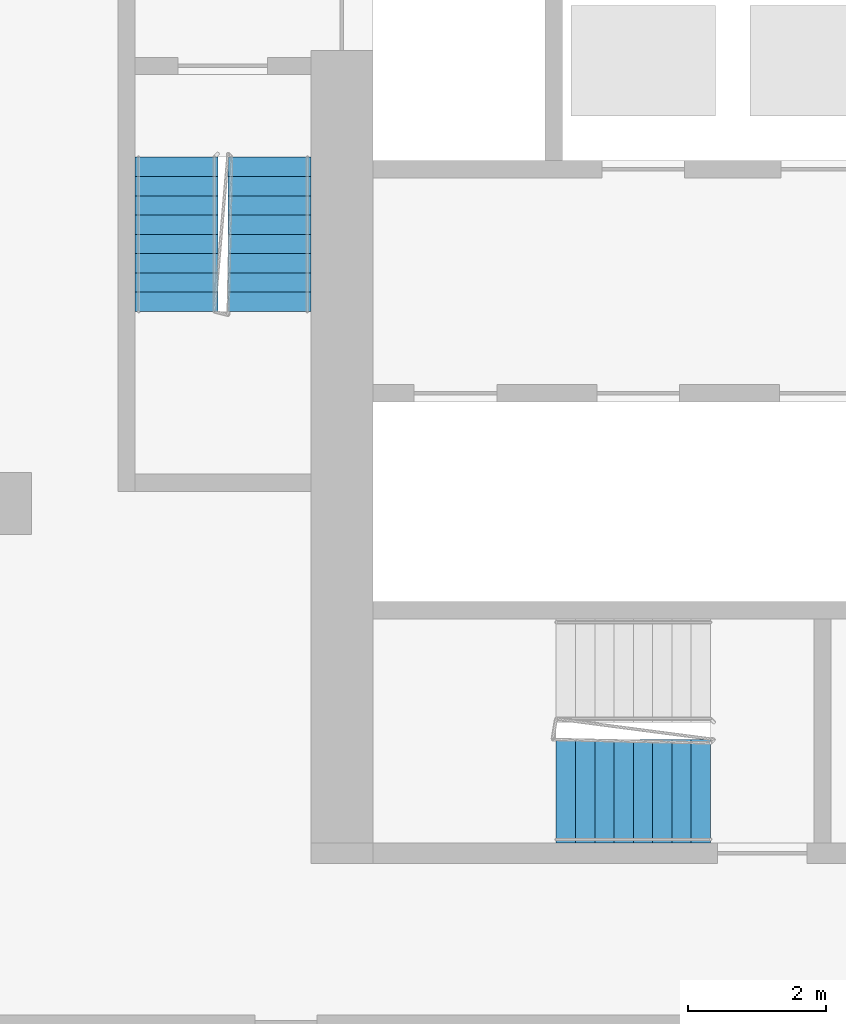
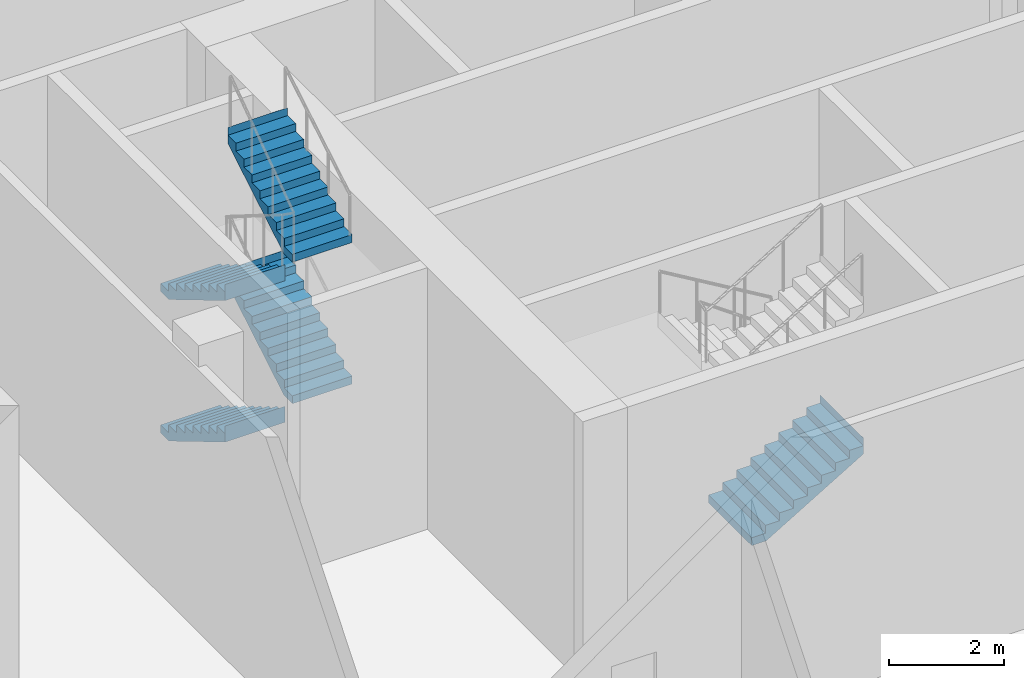
# One storey, part 17 of 27: 5 stair flights, 2 elements without a shape of their own.
"""IFC4 building model written with IfcOpenShell, lengths in metres."""

from ifc_helpers import new_model, si_unit, direction, frame, origin, place, context, subcontext, project, spatial, faceted_brep, material, type_object, element, aggregate, save


model = new_model("IFC4")

# Units and contexts
model_context = context("Model", 3, precision=1e-05, world=origin(), true_north=direction((0.0, 1.0)))
body_context = subcontext(model_context, "Body", "Model", "MODEL_VIEW")
ifc_project = project(units=[si_unit("LENGTHUNIT", "METRE"), si_unit("AREAUNIT", "SQUARE_METRE"), si_unit("VOLUMEUNIT", "CUBIC_METRE"), si_unit("PLANEANGLEUNIT", "RADIAN"), si_unit("MASSUNIT", "GRAM", prefix="KILO")], contexts=[model_context])

# Site, building, storey
site_placement = place(None, origin())
site = spatial("IfcSite", under=ifc_project, at=site_placement, CompositionType="ELEMENT")
building_placement = place(site_placement, origin())
building = spatial("IfcBuilding", under=site, at=building_placement, Name="Kajstack Hotel Tower", CompositionType="ELEMENT")
storey_placement = place(building_placement, frame((0.0, 0.0, 11.0)))
storey = spatial("IfcBuildingStorey", under=building, at=storey_placement, Name="L01", CompositionType="ELEMENT", Elevation=11.0)

# Stair, stair flights
ifc_material = material(Name="Concrete C40/50", Category="concrete")
stair_type_1 = type_object("IfcStairType", Name="Exit stair 1200", PredefinedType="HALF_TURN_STAIR", material=ifc_material)
stair_1_placement = place(storey_placement, origin())
stair_1 = element("IfcStair", 1, at=stair_1_placement, inside=storey, type_object=stair_type_1, Name="L01 stair W1", PredefinedType="HALF_TURN_STAIR")
stair_flight_type_1 = type_object("IfcStairFlightType", Name="Exit stair flight 1200", PredefinedType="STRAIGHT", material=ifc_material)
stair_flight_1_placement = place(storey_placement, frame((-33.449951171875, -5.25, 0.0), z_axis=(0.0, 0.0, 1.0), x_axis=(0.0, -1.0, 0.0)))
stair_flight_1 = element("IfcStairFlight", 2, at=stair_flight_1_placement, type_object=stair_flight_type_1, Name="W1 flight 1", NumberOfRisers=9, NumberOfTreads=8, PredefinedType="STRAIGHT", RiserHeight=0.166666667, TreadLength=0.28, context=body_context, shape_type="Brep", body=[
    faceted_brep([(0.29345703125, -0.60009765625, 0.0), (2.240478515625, -0.60009765625, 1.158935546875), (2.240478515625, -0.60009765625, 1.5), (2.239990234375, -0.60009765625, 1.5), (2.239990234375, -0.60009765625, 1.333251953125), (1.9599609375, -0.60009765625, 1.333251953125), (1.9599609375, -0.60009765625, 1.166748046875), (1.679931640625, -0.60009765625, 1.166748046875), (1.679931640625, -0.60009765625, 1.0), (1.39990234375, -0.60009765625, 1.0), (1.39990234375, -0.60009765625, 0.833251953125), (1.1201171875, -0.60009765625, 0.833251953125), (1.1201171875, -0.60009765625, 0.666748046875), (0.840087890625, -0.60009765625, 0.666748046875), (0.840087890625, -0.60009765625, 0.5), (0.56005859375, -0.60009765625, 0.5), (0.56005859375, -0.60009765625, 0.333251953125), (0.280029296875, -0.60009765625, 0.333251953125), (0.280029296875, -0.60009765625, 0.166748046875), (-0.00048828125, -0.60009765625, 0.166748046875), (-0.00048828125, -0.60009765625, 0.0), (-0.00048828125, 0.60009765625, 0.0), (-0.00048828125, 0.60009765625, 0.166748046875), (0.280029296875, 0.60009765625, 0.166748046875), (0.280029296875, 0.60009765625, 0.333251953125), (0.56005859375, 0.60009765625, 0.333251953125), (0.56005859375, 0.60009765625, 0.5), (0.840087890625, 0.60009765625, 0.5), (0.840087890625, 0.60009765625, 0.666748046875), (1.1201171875, 0.60009765625, 0.666748046875), (1.1201171875, 0.60009765625, 0.833251953125), (1.39990234375, 0.60009765625, 0.833251953125), (1.39990234375, 0.60009765625, 1.0), (1.679931640625, 0.60009765625, 1.0), (1.679931640625, 0.60009765625, 1.166748046875), (1.9599609375, 0.60009765625, 1.166748046875), (1.9599609375, 0.60009765625, 1.333251953125), (2.239990234375, 0.60009765625, 1.333251953125), (2.239990234375, 0.60009765625, 1.5), (2.240478515625, 0.60009765625, 1.5), (2.240478515625, 0.60009765625, 1.158935546875), (0.29345703125, 0.60009765625, 0.0), (-0.00048828125, -0.300048828125, 0.166748046875), (-0.00048828125, 0.0, 0.166748046875), (-0.00048828125, 0.300048828125, 0.166748046875), (-0.00048828125, 0.300048828125, 0.0), (-0.00048828125, 0.0, 0.0), (-0.00048828125, -0.300048828125, 0.0), (0.280029296875, -0.300048828125, 0.166748046875), (0.280029296875, 0.0, 0.166748046875), (0.280029296875, 0.300048828125, 0.166748046875), (0.280029296875, -0.300048828125, 0.333251953125), (0.280029296875, 0.0, 0.333251953125), (0.280029296875, 0.300048828125, 0.333251953125), (0.56005859375, -0.300048828125, 0.333251953125), (0.56005859375, 0.0, 0.333251953125), (0.56005859375, 0.300048828125, 0.333251953125), (0.56005859375, -0.300048828125, 0.5), (0.56005859375, 0.0, 0.5), (0.56005859375, 0.300048828125, 0.5), (0.840087890625, -0.300048828125, 0.5), (0.840087890625, 0.0, 0.5), (0.840087890625, 0.300048828125, 0.5), (0.840087890625, -0.300048828125, 0.666748046875), (0.840087890625, 0.0, 0.666748046875), (0.840087890625, 0.300048828125, 0.666748046875), (1.1201171875, -0.300048828125, 0.666748046875), (1.1201171875, 0.0, 0.666748046875), (1.1201171875, 0.300048828125, 0.666748046875), (1.1201171875, -0.300048828125, 0.833251953125), (1.1201171875, 0.0, 0.833251953125), (1.1201171875, 0.300048828125, 0.833251953125), (1.39990234375, -0.300048828125, 0.833251953125), (1.39990234375, 0.0, 0.833251953125), (1.39990234375, 0.300048828125, 0.833251953125), (1.39990234375, -0.300048828125, 1.0), (1.39990234375, 0.0, 1.0), (1.39990234375, 0.300048828125, 1.0), (1.679931640625, -0.300048828125, 1.0), (1.679931640625, 0.0, 1.0), (1.679931640625, 0.300048828125, 1.0), (1.679931640625, -0.300048828125, 1.166748046875), (1.679931640625, 0.0, 1.166748046875), (1.679931640625, 0.300048828125, 1.166748046875), (1.9599609375, -0.300048828125, 1.166748046875), (1.9599609375, 0.0, 1.166748046875), (1.9599609375, 0.300048828125, 1.166748046875), (1.9599609375, -0.300048828125, 1.333251953125), (1.9599609375, 0.0, 1.333251953125), (1.9599609375, 0.300048828125, 1.333251953125), (2.239990234375, -0.300048828125, 1.333251953125), (2.239990234375, 0.0, 1.333251953125), (2.239990234375, 0.300048828125, 1.333251953125), (2.239990234375, -0.300048828125, 1.5), (2.239990234375, 0.0, 1.5), (2.239990234375, 0.300048828125, 1.5), (2.240478515625, -0.300048828125, 1.5), (2.240478515625, 0.0, 1.5), (2.240478515625, 0.300048828125, 1.5), (2.240478515625, -0.300048828125, 1.158935546875), (2.240478515625, 0.0, 1.158935546875), (2.240478515625, 0.300048828125, 1.158935546875), (0.29345703125, -0.300048828125, 0.0), (0.29345703125, 0.0, 0.0), (0.29345703125, 0.300048828125, 0.0)], [[[0, 1, 2, 3, 4, 5, 6, 7, 8, 9, 10, 11, 12, 13, 14, 15, 16, 17, 18, 19, 20]], [[21, 22, 23, 24, 25, 26, 27, 28, 29, 30, 31, 32, 33, 34, 35, 36, 37, 38, 39, 40, 41]], [[19, 42, 43, 44, 22, 21, 45, 46, 47, 20]], [[18, 48, 49, 50, 23, 22, 44, 43, 42, 19]], [[17, 51, 52, 53, 24, 23, 50, 49, 48, 18]], [[16, 54, 55, 56, 25, 24, 53, 52, 51, 17]], [[15, 57, 58, 59, 26, 25, 56, 55, 54, 16]], [[14, 60, 61, 62, 27, 26, 59, 58, 57, 15]], [[13, 63, 64, 65, 28, 27, 62, 61, 60, 14]], [[12, 66, 67, 68, 29, 28, 65, 64, 63, 13]], [[11, 69, 70, 71, 30, 29, 68, 67, 66, 12]], [[10, 72, 73, 74, 31, 30, 71, 70, 69, 11]], [[9, 75, 76, 77, 32, 31, 74, 73, 72, 10]], [[8, 78, 79, 80, 33, 32, 77, 76, 75, 9]], [[7, 81, 82, 83, 34, 33, 80, 79, 78, 8]], [[6, 84, 85, 86, 35, 34, 83, 82, 81, 7]], [[5, 87, 88, 89, 36, 35, 86, 85, 84, 6]], [[4, 90, 91, 92, 37, 36, 89, 88, 87, 5]], [[3, 93, 94, 95, 38, 37, 92, 91, 90, 4]], [[2, 96, 97, 98, 39, 38, 95, 94, 93, 3]], [[1, 99, 100, 101, 40, 39, 98, 97, 96, 2]], [[0, 102, 103, 104, 41, 40, 101, 100, 99, 1]], [[20, 47, 46, 45, 21, 41, 104, 103, 102, 0]]]),
])
stair_flight_2_placement = place(storey_placement, frame((-32.10009765625, -7.489990234375, 1.5), z_axis=(0.0, 0.0, 1.0), x_axis=(0.0, 1.0, 0.0)))
stair_flight_2 = element("IfcStairFlight", 3, at=stair_flight_2_placement, type_object=stair_flight_type_1, Name="W1 flight 2", NumberOfRisers=9, NumberOfTreads=8, PredefinedType="STRAIGHT", RiserHeight=0.166666667, TreadLength=0.28, context=body_context, shape_type="Brep", body=[
    faceted_brep([(0.29345703125, -0.60009765625, 0.0), (2.240478515625, -0.60009765625, 1.158935546875), (2.240478515625, -0.60009765625, 1.5), (2.239990234375, -0.60009765625, 1.5), (2.239990234375, -0.60009765625, 1.333251953125), (1.9599609375, -0.60009765625, 1.333251953125), (1.9599609375, -0.60009765625, 1.166748046875), (1.679931640625, -0.60009765625, 1.166748046875), (1.679931640625, -0.60009765625, 1.0), (1.39990234375, -0.60009765625, 1.0), (1.39990234375, -0.60009765625, 0.833251953125), (1.1201171875, -0.60009765625, 0.833251953125), (1.1201171875, -0.60009765625, 0.666748046875), (0.840087890625, -0.60009765625, 0.666748046875), (0.840087890625, -0.60009765625, 0.5), (0.56005859375, -0.60009765625, 0.5), (0.56005859375, -0.60009765625, 0.333251953125), (0.280029296875, -0.60009765625, 0.333251953125), (0.280029296875, -0.60009765625, 0.166748046875), (-0.00048828125, -0.60009765625, 0.166748046875), (-0.00048828125, -0.60009765625, 0.0), (-0.00048828125, 0.60009765625, 0.0), (-0.00048828125, 0.60009765625, 0.166748046875), (0.280029296875, 0.60009765625, 0.166748046875), (0.280029296875, 0.60009765625, 0.333251953125), (0.56005859375, 0.60009765625, 0.333251953125), (0.56005859375, 0.60009765625, 0.5), (0.840087890625, 0.60009765625, 0.5), (0.840087890625, 0.60009765625, 0.666748046875), (1.1201171875, 0.60009765625, 0.666748046875), (1.1201171875, 0.60009765625, 0.833251953125), (1.39990234375, 0.60009765625, 0.833251953125), (1.39990234375, 0.60009765625, 1.0), (1.679931640625, 0.60009765625, 1.0), (1.679931640625, 0.60009765625, 1.166748046875), (1.9599609375, 0.60009765625, 1.166748046875), (1.9599609375, 0.60009765625, 1.333251953125), (2.239990234375, 0.60009765625, 1.333251953125), (2.239990234375, 0.60009765625, 1.5), (2.240478515625, 0.60009765625, 1.5), (2.240478515625, 0.60009765625, 1.158935546875), (0.29345703125, 0.60009765625, 0.0), (-0.00048828125, -0.300048828125, 0.166748046875), (-0.00048828125, 0.0, 0.166748046875), (-0.00048828125, 0.300048828125, 0.166748046875), (-0.00048828125, 0.300048828125, 0.0), (-0.00048828125, 0.0, 0.0), (-0.00048828125, -0.300048828125, 0.0), (0.280029296875, -0.300048828125, 0.166748046875), (0.280029296875, 0.0, 0.166748046875), (0.280029296875, 0.300048828125, 0.166748046875), (0.280029296875, -0.300048828125, 0.333251953125), (0.280029296875, 0.0, 0.333251953125), (0.280029296875, 0.300048828125, 0.333251953125), (0.56005859375, -0.300048828125, 0.333251953125), (0.56005859375, 0.0, 0.333251953125), (0.56005859375, 0.300048828125, 0.333251953125), (0.56005859375, -0.300048828125, 0.5), (0.56005859375, 0.0, 0.5), (0.56005859375, 0.300048828125, 0.5), (0.840087890625, -0.300048828125, 0.5), (0.840087890625, 0.0, 0.5), (0.840087890625, 0.300048828125, 0.5), (0.840087890625, -0.300048828125, 0.666748046875), (0.840087890625, 0.0, 0.666748046875), (0.840087890625, 0.300048828125, 0.666748046875), (1.1201171875, -0.300048828125, 0.666748046875), (1.1201171875, 0.0, 0.666748046875), (1.1201171875, 0.300048828125, 0.666748046875), (1.1201171875, -0.300048828125, 0.833251953125), (1.1201171875, 0.0, 0.833251953125), (1.1201171875, 0.300048828125, 0.833251953125), (1.39990234375, -0.300048828125, 0.833251953125), (1.39990234375, 0.0, 0.833251953125), (1.39990234375, 0.300048828125, 0.833251953125), (1.39990234375, -0.300048828125, 1.0), (1.39990234375, 0.0, 1.0), (1.39990234375, 0.300048828125, 1.0), (1.679931640625, -0.300048828125, 1.0), (1.679931640625, 0.0, 1.0), (1.679931640625, 0.300048828125, 1.0), (1.679931640625, -0.300048828125, 1.166748046875), (1.679931640625, 0.0, 1.166748046875), (1.679931640625, 0.300048828125, 1.166748046875), (1.9599609375, -0.300048828125, 1.166748046875), (1.9599609375, 0.0, 1.166748046875), (1.9599609375, 0.300048828125, 1.166748046875), (1.9599609375, -0.300048828125, 1.333251953125), (1.9599609375, 0.0, 1.333251953125), (1.9599609375, 0.300048828125, 1.333251953125), (2.239990234375, -0.300048828125, 1.333251953125), (2.239990234375, 0.0, 1.333251953125), (2.239990234375, 0.300048828125, 1.333251953125), (2.239990234375, -0.300048828125, 1.5), (2.239990234375, 0.0, 1.5), (2.239990234375, 0.300048828125, 1.5), (2.240478515625, -0.300048828125, 1.5), (2.240478515625, 0.0, 1.5), (2.240478515625, 0.300048828125, 1.5), (2.240478515625, -0.300048828125, 1.158935546875), (2.240478515625, 0.0, 1.158935546875), (2.240478515625, 0.300048828125, 1.158935546875), (0.29345703125, -0.300048828125, 0.0), (0.29345703125, 0.0, 0.0), (0.29345703125, 0.300048828125, 0.0)], [[[0, 1, 2, 3, 4, 5, 6, 7, 8, 9, 10, 11, 12, 13, 14, 15, 16, 17, 18, 19, 20]], [[21, 22, 23, 24, 25, 26, 27, 28, 29, 30, 31, 32, 33, 34, 35, 36, 37, 38, 39, 40, 41]], [[19, 42, 43, 44, 22, 21, 45, 46, 47, 20]], [[18, 48, 49, 50, 23, 22, 44, 43, 42, 19]], [[17, 51, 52, 53, 24, 23, 50, 49, 48, 18]], [[16, 54, 55, 56, 25, 24, 53, 52, 51, 17]], [[15, 57, 58, 59, 26, 25, 56, 55, 54, 16]], [[14, 60, 61, 62, 27, 26, 59, 58, 57, 15]], [[13, 63, 64, 65, 28, 27, 62, 61, 60, 14]], [[12, 66, 67, 68, 29, 28, 65, 64, 63, 13]], [[11, 69, 70, 71, 30, 29, 68, 67, 66, 12]], [[10, 72, 73, 74, 31, 30, 71, 70, 69, 11]], [[9, 75, 76, 77, 32, 31, 74, 73, 72, 10]], [[8, 78, 79, 80, 33, 32, 77, 76, 75, 9]], [[7, 81, 82, 83, 34, 33, 80, 79, 78, 8]], [[6, 84, 85, 86, 35, 34, 83, 82, 81, 7]], [[5, 87, 88, 89, 36, 35, 86, 85, 84, 6]], [[4, 90, 91, 92, 37, 36, 89, 88, 87, 5]], [[3, 93, 94, 95, 38, 37, 92, 91, 90, 4]], [[2, 96, 97, 98, 39, 38, 95, 94, 93, 3]], [[1, 99, 100, 101, 40, 39, 98, 97, 96, 2]], [[0, 102, 103, 104, 41, 40, 101, 100, 99, 1]], [[20, 47, 46, 45, 21, 41, 104, 103, 102, 0]]]),
])
stair_flight_3_placement = place(storey_placement, frame((-33.449951171875, -5.25, 3.0), z_axis=(0.0, 0.0, 1.0), x_axis=(0.0, -1.0, 0.0)))
stair_flight_3 = element("IfcStairFlight", 4, at=stair_flight_3_placement, type_object=stair_flight_type_1, Name="W1 flight 3", NumberOfRisers=9, NumberOfTreads=8, PredefinedType="STRAIGHT", RiserHeight=0.166666667, TreadLength=0.28, context=body_context, shape_type="Brep", body=[
    faceted_brep([(0.29345703125, -0.60009765625, 0.0), (2.240478515625, -0.60009765625, 1.158935546875), (2.240478515625, -0.60009765625, 1.5), (2.239990234375, -0.60009765625, 1.5), (2.239990234375, -0.60009765625, 1.333251953125), (1.9599609375, -0.60009765625, 1.333251953125), (1.9599609375, -0.60009765625, 1.166748046875), (1.679931640625, -0.60009765625, 1.166748046875), (1.679931640625, -0.60009765625, 1.0), (1.39990234375, -0.60009765625, 1.0), (1.39990234375, -0.60009765625, 0.833251953125), (1.1201171875, -0.60009765625, 0.833251953125), (1.1201171875, -0.60009765625, 0.666748046875), (0.840087890625, -0.60009765625, 0.666748046875), (0.840087890625, -0.60009765625, 0.5), (0.56005859375, -0.60009765625, 0.5), (0.56005859375, -0.60009765625, 0.333251953125), (0.280029296875, -0.60009765625, 0.333251953125), (0.280029296875, -0.60009765625, 0.166748046875), (-0.00048828125, -0.60009765625, 0.166748046875), (-0.00048828125, -0.60009765625, 0.0), (-0.00048828125, 0.60009765625, 0.0), (-0.00048828125, 0.60009765625, 0.166748046875), (0.280029296875, 0.60009765625, 0.166748046875), (0.280029296875, 0.60009765625, 0.333251953125), (0.56005859375, 0.60009765625, 0.333251953125), (0.56005859375, 0.60009765625, 0.5), (0.840087890625, 0.60009765625, 0.5), (0.840087890625, 0.60009765625, 0.666748046875), (1.1201171875, 0.60009765625, 0.666748046875), (1.1201171875, 0.60009765625, 0.833251953125), (1.39990234375, 0.60009765625, 0.833251953125), (1.39990234375, 0.60009765625, 1.0), (1.679931640625, 0.60009765625, 1.0), (1.679931640625, 0.60009765625, 1.166748046875), (1.9599609375, 0.60009765625, 1.166748046875), (1.9599609375, 0.60009765625, 1.333251953125), (2.239990234375, 0.60009765625, 1.333251953125), (2.239990234375, 0.60009765625, 1.5), (2.240478515625, 0.60009765625, 1.5), (2.240478515625, 0.60009765625, 1.158935546875), (0.29345703125, 0.60009765625, 0.0), (-0.00048828125, -0.300048828125, 0.166748046875), (-0.00048828125, 0.0, 0.166748046875), (-0.00048828125, 0.300048828125, 0.166748046875), (-0.00048828125, 0.300048828125, 0.0), (-0.00048828125, 0.0, 0.0), (-0.00048828125, -0.300048828125, 0.0), (0.280029296875, -0.300048828125, 0.166748046875), (0.280029296875, 0.0, 0.166748046875), (0.280029296875, 0.300048828125, 0.166748046875), (0.280029296875, -0.300048828125, 0.333251953125), (0.280029296875, 0.0, 0.333251953125), (0.280029296875, 0.300048828125, 0.333251953125), (0.56005859375, -0.300048828125, 0.333251953125), (0.56005859375, 0.0, 0.333251953125), (0.56005859375, 0.300048828125, 0.333251953125), (0.56005859375, -0.300048828125, 0.5), (0.56005859375, 0.0, 0.5), (0.56005859375, 0.300048828125, 0.5), (0.840087890625, -0.300048828125, 0.5), (0.840087890625, 0.0, 0.5), (0.840087890625, 0.300048828125, 0.5), (0.840087890625, -0.300048828125, 0.666748046875), (0.840087890625, 0.0, 0.666748046875), (0.840087890625, 0.300048828125, 0.666748046875), (1.1201171875, -0.300048828125, 0.666748046875), (1.1201171875, 0.0, 0.666748046875), (1.1201171875, 0.300048828125, 0.666748046875), (1.1201171875, -0.300048828125, 0.833251953125), (1.1201171875, 0.0, 0.833251953125), (1.1201171875, 0.300048828125, 0.833251953125), (1.39990234375, -0.300048828125, 0.833251953125), (1.39990234375, 0.0, 0.833251953125), (1.39990234375, 0.300048828125, 0.833251953125), (1.39990234375, -0.300048828125, 1.0), (1.39990234375, 0.0, 1.0), (1.39990234375, 0.300048828125, 1.0), (1.679931640625, -0.300048828125, 1.0), (1.679931640625, 0.0, 1.0), (1.679931640625, 0.300048828125, 1.0), (1.679931640625, -0.300048828125, 1.166748046875), (1.679931640625, 0.0, 1.166748046875), (1.679931640625, 0.300048828125, 1.166748046875), (1.9599609375, -0.300048828125, 1.166748046875), (1.9599609375, 0.0, 1.166748046875), (1.9599609375, 0.300048828125, 1.166748046875), (1.9599609375, -0.300048828125, 1.333251953125), (1.9599609375, 0.0, 1.333251953125), (1.9599609375, 0.300048828125, 1.333251953125), (2.239990234375, -0.300048828125, 1.333251953125), (2.239990234375, 0.0, 1.333251953125), (2.239990234375, 0.300048828125, 1.333251953125), (2.239990234375, -0.300048828125, 1.5), (2.239990234375, 0.0, 1.5), (2.239990234375, 0.300048828125, 1.5), (2.240478515625, -0.300048828125, 1.5), (2.240478515625, 0.0, 1.5), (2.240478515625, 0.300048828125, 1.5), (2.240478515625, -0.300048828125, 1.158935546875), (2.240478515625, 0.0, 1.158935546875), (2.240478515625, 0.300048828125, 1.158935546875), (0.29345703125, -0.300048828125, 0.0), (0.29345703125, 0.0, 0.0), (0.29345703125, 0.300048828125, 0.0)], [[[0, 1, 2, 3, 4, 5, 6, 7, 8, 9, 10, 11, 12, 13, 14, 15, 16, 17, 18, 19, 20]], [[21, 22, 23, 24, 25, 26, 27, 28, 29, 30, 31, 32, 33, 34, 35, 36, 37, 38, 39, 40, 41]], [[19, 42, 43, 44, 22, 21, 45, 46, 47, 20]], [[18, 48, 49, 50, 23, 22, 44, 43, 42, 19]], [[17, 51, 52, 53, 24, 23, 50, 49, 48, 18]], [[16, 54, 55, 56, 25, 24, 53, 52, 51, 17]], [[15, 57, 58, 59, 26, 25, 56, 55, 54, 16]], [[14, 60, 61, 62, 27, 26, 59, 58, 57, 15]], [[13, 63, 64, 65, 28, 27, 62, 61, 60, 14]], [[12, 66, 67, 68, 29, 28, 65, 64, 63, 13]], [[11, 69, 70, 71, 30, 29, 68, 67, 66, 12]], [[10, 72, 73, 74, 31, 30, 71, 70, 69, 11]], [[9, 75, 76, 77, 32, 31, 74, 73, 72, 10]], [[8, 78, 79, 80, 33, 32, 77, 76, 75, 9]], [[7, 81, 82, 83, 34, 33, 80, 79, 78, 8]], [[6, 84, 85, 86, 35, 34, 83, 82, 81, 7]], [[5, 87, 88, 89, 36, 35, 86, 85, 84, 6]], [[4, 90, 91, 92, 37, 36, 89, 88, 87, 5]], [[3, 93, 94, 95, 38, 37, 92, 91, 90, 4]], [[2, 96, 97, 98, 39, 38, 95, 94, 93, 3]], [[1, 99, 100, 101, 40, 39, 98, 97, 96, 2]], [[0, 102, 103, 104, 41, 40, 101, 100, 99, 1]], [[20, 47, 46, 45, 21, 41, 104, 103, 102, 0]]]),
])
stair_flight_4_placement = place(storey_placement, frame((-32.10009765625, -7.489990234375, 4.5), z_axis=(0.0, 0.0, 1.0), x_axis=(0.0, 1.0, 0.0)))
stair_flight_4 = element("IfcStairFlight", 5, at=stair_flight_4_placement, type_object=stair_flight_type_1, Name="W1 flight 4", NumberOfRisers=9, NumberOfTreads=8, PredefinedType="STRAIGHT", RiserHeight=0.166666667, TreadLength=0.28, context=body_context, shape_type="Brep", body=[
    faceted_brep([(0.29345703125, -0.60009765625, 0.0), (2.240478515625, -0.60009765625, 1.158935546875), (2.240478515625, -0.60009765625, 1.5), (2.239990234375, -0.60009765625, 1.5), (2.239990234375, -0.60009765625, 1.333251953125), (1.9599609375, -0.60009765625, 1.333251953125), (1.9599609375, -0.60009765625, 1.166748046875), (1.679931640625, -0.60009765625, 1.166748046875), (1.679931640625, -0.60009765625, 1.0), (1.39990234375, -0.60009765625, 1.0), (1.39990234375, -0.60009765625, 0.833251953125), (1.1201171875, -0.60009765625, 0.833251953125), (1.1201171875, -0.60009765625, 0.666748046875), (0.840087890625, -0.60009765625, 0.666748046875), (0.840087890625, -0.60009765625, 0.5), (0.56005859375, -0.60009765625, 0.5), (0.56005859375, -0.60009765625, 0.333251953125), (0.280029296875, -0.60009765625, 0.333251953125), (0.280029296875, -0.60009765625, 0.166748046875), (-0.00048828125, -0.60009765625, 0.166748046875), (-0.00048828125, -0.60009765625, 0.0), (-0.00048828125, 0.60009765625, 0.0), (-0.00048828125, 0.60009765625, 0.166748046875), (0.280029296875, 0.60009765625, 0.166748046875), (0.280029296875, 0.60009765625, 0.333251953125), (0.56005859375, 0.60009765625, 0.333251953125), (0.56005859375, 0.60009765625, 0.5), (0.840087890625, 0.60009765625, 0.5), (0.840087890625, 0.60009765625, 0.666748046875), (1.1201171875, 0.60009765625, 0.666748046875), (1.1201171875, 0.60009765625, 0.833251953125), (1.39990234375, 0.60009765625, 0.833251953125), (1.39990234375, 0.60009765625, 1.0), (1.679931640625, 0.60009765625, 1.0), (1.679931640625, 0.60009765625, 1.166748046875), (1.9599609375, 0.60009765625, 1.166748046875), (1.9599609375, 0.60009765625, 1.333251953125), (2.239990234375, 0.60009765625, 1.333251953125), (2.239990234375, 0.60009765625, 1.5), (2.240478515625, 0.60009765625, 1.5), (2.240478515625, 0.60009765625, 1.158935546875), (0.29345703125, 0.60009765625, 0.0), (-0.00048828125, -0.300048828125, 0.166748046875), (-0.00048828125, 0.0, 0.166748046875), (-0.00048828125, 0.300048828125, 0.166748046875), (-0.00048828125, 0.300048828125, 0.0), (-0.00048828125, 0.0, 0.0), (-0.00048828125, -0.300048828125, 0.0), (0.280029296875, -0.300048828125, 0.166748046875), (0.280029296875, 0.0, 0.166748046875), (0.280029296875, 0.300048828125, 0.166748046875), (0.280029296875, -0.300048828125, 0.333251953125), (0.280029296875, 0.0, 0.333251953125), (0.280029296875, 0.300048828125, 0.333251953125), (0.56005859375, -0.300048828125, 0.333251953125), (0.56005859375, 0.0, 0.333251953125), (0.56005859375, 0.300048828125, 0.333251953125), (0.56005859375, -0.300048828125, 0.5), (0.56005859375, 0.0, 0.5), (0.56005859375, 0.300048828125, 0.5), (0.840087890625, -0.300048828125, 0.5), (0.840087890625, 0.0, 0.5), (0.840087890625, 0.300048828125, 0.5), (0.840087890625, -0.300048828125, 0.666748046875), (0.840087890625, 0.0, 0.666748046875), (0.840087890625, 0.300048828125, 0.666748046875), (1.1201171875, -0.300048828125, 0.666748046875), (1.1201171875, 0.0, 0.666748046875), (1.1201171875, 0.300048828125, 0.666748046875), (1.1201171875, -0.300048828125, 0.833251953125), (1.1201171875, 0.0, 0.833251953125), (1.1201171875, 0.300048828125, 0.833251953125), (1.39990234375, -0.300048828125, 0.833251953125), (1.39990234375, 0.0, 0.833251953125), (1.39990234375, 0.300048828125, 0.833251953125), (1.39990234375, -0.300048828125, 1.0), (1.39990234375, 0.0, 1.0), (1.39990234375, 0.300048828125, 1.0), (1.679931640625, -0.300048828125, 1.0), (1.679931640625, 0.0, 1.0), (1.679931640625, 0.300048828125, 1.0), (1.679931640625, -0.300048828125, 1.166748046875), (1.679931640625, 0.0, 1.166748046875), (1.679931640625, 0.300048828125, 1.166748046875), (1.9599609375, -0.300048828125, 1.166748046875), (1.9599609375, 0.0, 1.166748046875), (1.9599609375, 0.300048828125, 1.166748046875), (1.9599609375, -0.300048828125, 1.333251953125), (1.9599609375, 0.0, 1.333251953125), (1.9599609375, 0.300048828125, 1.333251953125), (2.239990234375, -0.300048828125, 1.333251953125), (2.239990234375, 0.0, 1.333251953125), (2.239990234375, 0.300048828125, 1.333251953125), (2.239990234375, -0.300048828125, 1.5), (2.239990234375, 0.0, 1.5), (2.239990234375, 0.300048828125, 1.5), (2.240478515625, -0.300048828125, 1.5), (2.240478515625, 0.0, 1.5), (2.240478515625, 0.300048828125, 1.5), (2.240478515625, -0.300048828125, 1.158935546875), (2.240478515625, 0.0, 1.158935546875), (2.240478515625, 0.300048828125, 1.158935546875), (0.29345703125, -0.300048828125, 0.0), (0.29345703125, 0.0, 0.0), (0.29345703125, 0.300048828125, 0.0)], [[[0, 1, 2, 3, 4, 5, 6, 7, 8, 9, 10, 11, 12, 13, 14, 15, 16, 17, 18, 19, 20]], [[21, 22, 23, 24, 25, 26, 27, 28, 29, 30, 31, 32, 33, 34, 35, 36, 37, 38, 39, 40, 41]], [[19, 42, 43, 44, 22, 21, 45, 46, 47, 20]], [[18, 48, 49, 50, 23, 22, 44, 43, 42, 19]], [[17, 51, 52, 53, 24, 23, 50, 49, 48, 18]], [[16, 54, 55, 56, 25, 24, 53, 52, 51, 17]], [[15, 57, 58, 59, 26, 25, 56, 55, 54, 16]], [[14, 60, 61, 62, 27, 26, 59, 58, 57, 15]], [[13, 63, 64, 65, 28, 27, 62, 61, 60, 14]], [[12, 66, 67, 68, 29, 28, 65, 64, 63, 13]], [[11, 69, 70, 71, 30, 29, 68, 67, 66, 12]], [[10, 72, 73, 74, 31, 30, 71, 70, 69, 11]], [[9, 75, 76, 77, 32, 31, 74, 73, 72, 10]], [[8, 78, 79, 80, 33, 32, 77, 76, 75, 9]], [[7, 81, 82, 83, 34, 33, 80, 79, 78, 8]], [[6, 84, 85, 86, 35, 34, 83, 82, 81, 7]], [[5, 87, 88, 89, 36, 35, 86, 85, 84, 6]], [[4, 90, 91, 92, 37, 36, 89, 88, 87, 5]], [[3, 93, 94, 95, 38, 37, 92, 91, 90, 4]], [[2, 96, 97, 98, 39, 38, 95, 94, 93, 3]], [[1, 99, 100, 101, 40, 39, 98, 97, 96, 2]], [[0, 102, 103, 104, 41, 40, 101, 100, 99, 1]], [[20, 47, 46, 45, 21, 41, 104, 103, 102, 0]]]),
])
aggregate(stair_1, [stair_flight_1, stair_flight_2, stair_flight_3, stair_flight_4])

# Stair, stair flight
stair_type_2 = type_object("IfcStairType", Name="Exit stair 1500", PredefinedType="HALF_TURN_STAIR", material=ifc_material)
stair_2_placement = place(storey_placement, origin())
stair_2 = element("IfcStair", 6, at=stair_2_placement, inside=storey, type_object=stair_type_2, Name="L01 stair W3", PredefinedType="HALF_TURN_STAIR")
stair_flight_type_2 = type_object("IfcStairFlightType", Name="Exit stair flight 1500", PredefinedType="STRAIGHT", material=ifc_material)
stair_flight_5_placement = place(storey_placement, frame((-27.93994140625, -14.449951171875, 1.5), z_axis=(0.0, 0.0, 1.0), x_axis=(1.0, 0.0, 0.0)))
stair_flight_5 = element("IfcStairFlight", 7, at=stair_flight_5_placement, type_object=stair_flight_type_2, Name="W3 flight 2", NumberOfRisers=9, NumberOfTreads=8, PredefinedType="STRAIGHT", RiserHeight=0.166666667, TreadLength=0.28, context=body_context, shape_type="Brep", body=[
    faceted_brep([(0.29345703125, -0.75, 0.0), (2.240478515625, -0.75, 1.158935546875), (2.240478515625, -0.75, 1.5), (2.239990234375, -0.75, 1.5), (2.239990234375, -0.75, 1.333251953125), (1.9599609375, -0.75, 1.333251953125), (1.9599609375, -0.75, 1.166748046875), (1.679931640625, -0.75, 1.166748046875), (1.679931640625, -0.75, 1.0), (1.39990234375, -0.75, 1.0), (1.39990234375, -0.75, 0.833251953125), (1.1201171875, -0.75, 0.833251953125), (1.1201171875, -0.75, 0.666748046875), (0.840087890625, -0.75, 0.666748046875), (0.840087890625, -0.75, 0.5), (0.56005859375, -0.75, 0.5), (0.56005859375, -0.75, 0.333251953125), (0.280029296875, -0.75, 0.333251953125), (0.280029296875, -0.75, 0.166748046875), (-0.00048828125, -0.75, 0.166748046875), (-0.00048828125, -0.75, 0.0), (-0.00048828125, 0.75, 0.0), (-0.00048828125, 0.75, 0.166748046875), (0.280029296875, 0.75, 0.166748046875), (0.280029296875, 0.75, 0.333251953125), (0.56005859375, 0.75, 0.333251953125), (0.56005859375, 0.75, 0.5), (0.840087890625, 0.75, 0.5), (0.840087890625, 0.75, 0.666748046875), (1.1201171875, 0.75, 0.666748046875), (1.1201171875, 0.75, 0.833251953125), (1.39990234375, 0.75, 0.833251953125), (1.39990234375, 0.75, 1.0), (1.679931640625, 0.75, 1.0), (1.679931640625, 0.75, 1.166748046875), (1.9599609375, 0.75, 1.166748046875), (1.9599609375, 0.75, 1.333251953125), (2.239990234375, 0.75, 1.333251953125), (2.239990234375, 0.75, 1.5), (2.240478515625, 0.75, 1.5), (2.240478515625, 0.75, 1.158935546875), (0.29345703125, 0.75, 0.0), (-0.00048828125, -0.375, 0.166748046875), (-0.00048828125, 0.0, 0.166748046875), (-0.00048828125, 0.375, 0.166748046875), (-0.00048828125, 0.375, 0.0), (-0.00048828125, 0.0, 0.0), (-0.00048828125, -0.375, 0.0), (0.280029296875, -0.375, 0.166748046875), (0.280029296875, 0.0, 0.166748046875), (0.280029296875, 0.375, 0.166748046875), (0.280029296875, -0.375, 0.333251953125), (0.280029296875, 0.0, 0.333251953125), (0.280029296875, 0.375, 0.333251953125), (0.56005859375, -0.375, 0.333251953125), (0.56005859375, 0.0, 0.333251953125), (0.56005859375, 0.375, 0.333251953125), (0.56005859375, -0.375, 0.5), (0.56005859375, 0.0, 0.5), (0.56005859375, 0.375, 0.5), (0.840087890625, -0.375, 0.5), (0.840087890625, 0.0, 0.5), (0.840087890625, 0.375, 0.5), (0.840087890625, -0.375, 0.666748046875), (0.840087890625, 0.0, 0.666748046875), (0.840087890625, 0.375, 0.666748046875), (1.1201171875, -0.375, 0.666748046875), (1.1201171875, 0.0, 0.666748046875), (1.1201171875, 0.375, 0.666748046875), (1.1201171875, -0.375, 0.833251953125), (1.1201171875, 0.0, 0.833251953125), (1.1201171875, 0.375, 0.833251953125), (1.39990234375, -0.375, 0.833251953125), (1.39990234375, 0.0, 0.833251953125), (1.39990234375, 0.375, 0.833251953125), (1.39990234375, -0.375, 1.0), (1.39990234375, 0.0, 1.0), (1.39990234375, 0.375, 1.0), (1.679931640625, -0.375, 1.0), (1.679931640625, 0.0, 1.0), (1.679931640625, 0.375, 1.0), (1.679931640625, -0.375, 1.166748046875), (1.679931640625, 0.0, 1.166748046875), (1.679931640625, 0.375, 1.166748046875), (1.9599609375, -0.375, 1.166748046875), (1.9599609375, 0.0, 1.166748046875), (1.9599609375, 0.375, 1.166748046875), (1.9599609375, -0.375, 1.333251953125), (1.9599609375, 0.0, 1.333251953125), (1.9599609375, 0.375, 1.333251953125), (2.239990234375, -0.375, 1.333251953125), (2.239990234375, 0.0, 1.333251953125), (2.239990234375, 0.375, 1.333251953125), (2.239990234375, -0.375, 1.5), (2.239990234375, 0.0, 1.5), (2.239990234375, 0.375, 1.5), (2.240478515625, -0.375, 1.5), (2.240478515625, 0.0, 1.5), (2.240478515625, 0.375, 1.5), (2.240478515625, -0.375, 1.158935546875), (2.240478515625, 0.0, 1.158935546875), (2.240478515625, 0.375, 1.158935546875), (0.29345703125, -0.375, 0.0), (0.29345703125, 0.0, 0.0), (0.29345703125, 0.375, 0.0)], [[[0, 1, 2, 3, 4, 5, 6, 7, 8, 9, 10, 11, 12, 13, 14, 15, 16, 17, 18, 19, 20]], [[21, 22, 23, 24, 25, 26, 27, 28, 29, 30, 31, 32, 33, 34, 35, 36, 37, 38, 39, 40, 41]], [[19, 42, 43, 44, 22, 21, 45, 46, 47, 20]], [[18, 48, 49, 50, 23, 22, 44, 43, 42, 19]], [[17, 51, 52, 53, 24, 23, 50, 49, 48, 18]], [[16, 54, 55, 56, 25, 24, 53, 52, 51, 17]], [[15, 57, 58, 59, 26, 25, 56, 55, 54, 16]], [[14, 60, 61, 62, 27, 26, 59, 58, 57, 15]], [[13, 63, 64, 65, 28, 27, 62, 61, 60, 14]], [[12, 66, 67, 68, 29, 28, 65, 64, 63, 13]], [[11, 69, 70, 71, 30, 29, 68, 67, 66, 12]], [[10, 72, 73, 74, 31, 30, 71, 70, 69, 11]], [[9, 75, 76, 77, 32, 31, 74, 73, 72, 10]], [[8, 78, 79, 80, 33, 32, 77, 76, 75, 9]], [[7, 81, 82, 83, 34, 33, 80, 79, 78, 8]], [[6, 84, 85, 86, 35, 34, 83, 82, 81, 7]], [[5, 87, 88, 89, 36, 35, 86, 85, 84, 6]], [[4, 90, 91, 92, 37, 36, 89, 88, 87, 5]], [[3, 93, 94, 95, 38, 37, 92, 91, 90, 4]], [[2, 96, 97, 98, 39, 38, 95, 94, 93, 3]], [[1, 99, 100, 101, 40, 39, 98, 97, 96, 2]], [[0, 102, 103, 104, 41, 40, 101, 100, 99, 1]], [[20, 47, 46, 45, 21, 41, 104, 103, 102, 0]]]),
])
aggregate(stair_2, [stair_flight_5])

save(model, "model.ifc")
